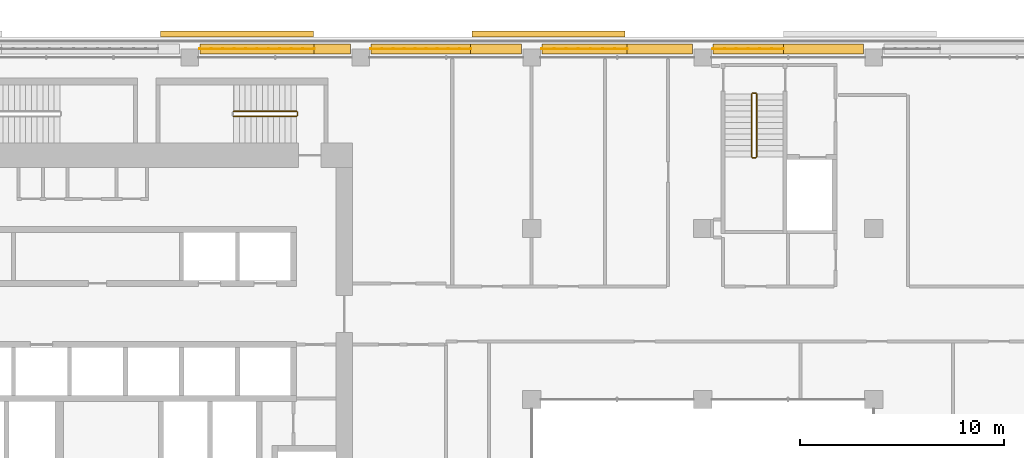
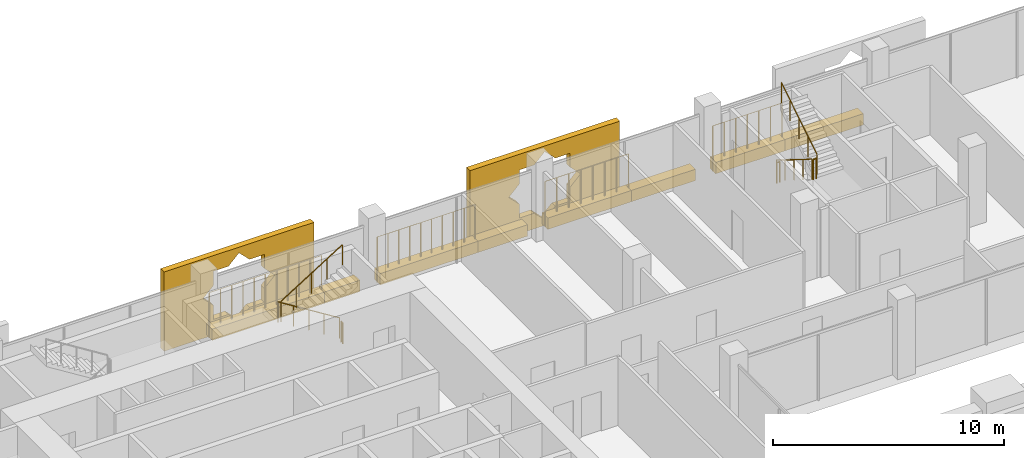
# One storey, part 22 of 23: 11 railings, 10 coverings.
"""IFC4 building model written with IfcOpenShell, lengths in metres."""

from ifc_helpers import new_model, si_unit, direction, frame, origin, origin_2d, place, context, subcontext, project, spatial, polyline, rectangle, circle, outline, extrude, material, material_profile, profile_set, type_object, element, save


model = new_model("IFC4")

# Units and contexts
model_context = context("Model", 3, precision=1e-05, world=origin(), true_north=direction((0.0, 1.0)))
body_context = subcontext(model_context, "Body", "Model", "MODEL_VIEW")
ifc_project = project(units=[si_unit("LENGTHUNIT", "METRE"), si_unit("AREAUNIT", "SQUARE_METRE"), si_unit("VOLUMEUNIT", "CUBIC_METRE"), si_unit("PLANEANGLEUNIT", "RADIAN"), si_unit("MASSUNIT", "GRAM", prefix="KILO")], contexts=[model_context])

# Site, building, storey
site_placement = place(None, origin())
site = spatial("IfcSite", under=ifc_project, at=site_placement, CompositionType="ELEMENT")
building_placement = place(site_placement, origin())
building = spatial("IfcBuilding", under=site, at=building_placement, Name="Kawkab Arch Medical Tower", CompositionType="ELEMENT")
storey_placement = place(building_placement, frame((0.0, 0.0, 226.39990234375)))
storey = spatial("IfcBuildingStorey", under=building, at=storey_placement, Name="L52", CompositionType="ELEMENT", Elevation=226.39990234375)

# Coverings
ifc_material_1 = material(Name="Bronze anodised aluminium mashrabiya panel, eight-point star pattern", Category="aluminium")
ifc_material_profile_1 = material_profile(ifc_material_1, outline(polyline([(-3.75, -2.10009765625), (3.75, -2.10009765625), (3.75, 2.10009765625), (-3.75, 2.10009765625), (-3.75, -2.10009765625)]), holes=[polyline([(1.800048828125, 0.0), (1.272705078125, 0.527099609375), (1.272705078125, 1.272705078125), (0.527099609375, 1.272705078125), (0.0, 1.800048828125), (-0.527099609375, 1.272705078125), (-1.272705078125, 1.272705078125), (-1.272705078125, 0.527099609375), (-1.800048828125, 0.0), (-1.272705078125, -0.527099609375), (-1.272705078125, -1.272705078125), (-0.527099609375, -1.272705078125), (0.0, -1.800048828125), (0.527099609375, -1.272705078125), (1.272705078125, -1.272705078125), (1.272705078125, -0.527099609375), (1.800048828125, 0.0)])]), Name="Mashrabiya panel 7500x4200")
ifc_profile_set_1 = profile_set([ifc_material_profile_1], Name="Bronze anodised aluminium mashrabiya panel, eight-point star pattern")
covering_type_1 = type_object("IfcCoveringType", Name="Mashrabiya panel 7500 x 4200", PredefinedType="USERDEFINED", material=ifc_profile_set_1)
for number, where, z_axis, x_axis, name in (
    (1, (19.124267578125, 1.0, 1.7001953125), (0.0, 1.0, 0.0), (-1.0, 0.0, 0.0), "Mashrabiya panel L52.LOG-01-02.6"),
    (2, (34.42529296875, 1.0, 1.7001953125), (0.0, 1.0, 0.0), (-1.0, 0.0, 0.0), "Mashrabiya panel L52.LOG-01-02.7"),
):
    element("IfcCovering", number, at=place(storey_placement, frame(where, z_axis=z_axis, x_axis=x_axis)), inside=storey, type_object=covering_type_1, Name=name, ObjectType="SCREEN", PredefinedType="USERDEFINED", context=body_context, shape_type="SweptSolid", body=[
        extrude(outline(polyline([(-3.75, -2.10009765625), (3.75, -2.10009765625), (3.75, 2.10009765625), (-3.75, 2.10009765625), (-3.75, -2.10009765625)]), holes=[polyline([(1.800048828125, 0.0), (1.272705078125, 0.527099609375), (1.272705078125, 1.272705078125), (0.527099609375, 1.272705078125), (0.0, 1.800048828125), (-0.527099609375, 1.272705078125), (-1.272705078125, 1.272705078125), (-1.272705078125, 0.527099609375), (-1.800048828125, 0.0), (-1.272705078125, -0.527099609375), (-1.272705078125, -1.272705078125), (-0.527099609375, -1.272705078125), (0.0, -1.800048828125), (0.527099609375, -1.272705078125), (1.272705078125, -1.272705078125), (1.272705078125, -0.527099609375), (1.800048828125, 0.0)])]), origin(), (0.0, 0.0, 1.0), 0.300048828125),
    ])
ifc_material_2 = material(Name="Planting soil in a precast trough", Category="concrete")
ifc_material_profile_2 = material_profile(ifc_material_2, rectangle(XDim=0.5, YDim=0.60009765625, at=origin_2d()), Name="Trough 500x600")
ifc_profile_set_2 = profile_set([ifc_material_profile_2], Name="Planting soil in a precast trough")
covering_type_2 = type_object("IfcCoveringType", Name="Planter trough 500 x 600", PredefinedType="USERDEFINED", material=ifc_profile_set_2)
covering_1_placement = place(storey_placement, frame((17.304931640625, 0.419921875, 0.300048828125), z_axis=(1.0, 0.0, 0.0), x_axis=(0.0, 1.0, 0.0)))
element("IfcCovering", 3, at=covering_1_placement, inside=storey, type_object=covering_type_2, Name="Planter L52.LOG-01-02.19", ObjectType="PLANTER", PredefinedType="USERDEFINED", context=body_context, shape_type="SweptSolid", body=[
    extrude(rectangle(XDim=0.5, YDim=0.60009765625, at=origin_2d()), origin(), (0.0, 0.0, 1.0), 5.614013671875),
])
covering_2_placement = place(storey_placement, frame((22.9189453125, 0.419921875, 0.300048828125), z_axis=(1.0, 0.0, 0.0), x_axis=(0.0, 1.0, 0.0)))
element("IfcCovering", 4, at=covering_2_placement, inside=storey, type_object=covering_type_2, Name="Planter L52.LOG-01-02.20", ObjectType="PLANTER", PredefinedType="USERDEFINED", context=body_context, shape_type="SweptSolid", body=[
    extrude(rectangle(XDim=0.5, YDim=0.60009765625, at=origin_2d()), origin(), (0.0, 0.0, 1.0), 1.776123046875),
])
covering_3_placement = place(storey_placement, frame((25.705078125, 0.419921875, 0.300048828125), z_axis=(1.0, 0.0, 0.0), x_axis=(0.0, 1.0, 0.0)))
element("IfcCovering", 5, at=covering_3_placement, inside=storey, type_object=covering_type_2, Name="Planter L52.LOG-01-02.21", ObjectType="PLANTER", PredefinedType="USERDEFINED", context=body_context, shape_type="SweptSolid", body=[
    extrude(rectangle(XDim=0.5, YDim=0.60009765625, at=origin_2d()), origin(), (0.0, 0.0, 1.0), 4.89501953125),
])
covering_4_placement = place(storey_placement, frame((30.60009765625, 0.419921875, 0.300048828125), z_axis=(1.0, 0.0, 0.0), x_axis=(0.0, 1.0, 0.0)))
element("IfcCovering", 6, at=covering_4_placement, inside=storey, type_object=covering_type_2, Name="Planter L52.LOG-01-02.22", ObjectType="PLANTER", PredefinedType="USERDEFINED", context=body_context, shape_type="SweptSolid", body=[
    extrude(rectangle(XDim=0.5, YDim=0.60009765625, at=origin_2d()), origin(), (0.0, 0.0, 1.0), 2.494873046875),
])
covering_5_placement = place(storey_placement, frame((34.10498046875, 0.419921875, 0.300048828125), z_axis=(1.0, 0.0, 0.0), x_axis=(0.0, 1.0, 0.0)))
element("IfcCovering", 7, at=covering_5_placement, inside=storey, type_object=covering_type_2, Name="Planter L52.LOG-01-02.23", ObjectType="PLANTER", PredefinedType="USERDEFINED", context=body_context, shape_type="SweptSolid", body=[
    extrude(rectangle(XDim=0.5, YDim=0.60009765625, at=origin_2d()), origin(), (0.0, 0.0, 1.0), 4.176025390625),
])
covering_6_placement = place(storey_placement, frame((38.281005859375, 0.419921875, 0.300048828125), z_axis=(1.0, 0.0, 0.0), x_axis=(0.0, 1.0, 0.0)))
element("IfcCovering", 8, at=covering_6_placement, inside=storey, type_object=covering_type_2, Name="Planter L52.LOG-01-02.24", ObjectType="PLANTER", PredefinedType="USERDEFINED", context=body_context, shape_type="SweptSolid", body=[
    extrude(rectangle(XDim=0.5, YDim=0.60009765625, at=origin_2d()), origin(), (0.0, 0.0, 1.0), 3.214111328125),
])
covering_7_placement = place(storey_placement, frame((42.5048828125, 0.419921875, 0.300048828125), z_axis=(1.0, 0.0, 0.0), x_axis=(0.0, 1.0, 0.0)))
element("IfcCovering", 9, at=covering_7_placement, inside=storey, type_object=covering_type_2, Name="Planter L52.LOG-01-02.25", ObjectType="PLANTER", PredefinedType="USERDEFINED", context=body_context, shape_type="SweptSolid", body=[
    extrude(rectangle(XDim=0.5, YDim=0.60009765625, at=origin_2d()), origin(), (0.0, 0.0, 1.0), 3.4580078125),
])
covering_8_placement = place(storey_placement, frame((45.962890625, 0.419921875, 0.300048828125), z_axis=(1.0, 0.0, 0.0), x_axis=(0.0, 1.0, 0.0)))
element("IfcCovering", 10, at=covering_8_placement, inside=storey, type_object=covering_type_2, Name="Planter L52.LOG-01-02.26", ObjectType="PLANTER", PredefinedType="USERDEFINED", context=body_context, shape_type="SweptSolid", body=[
    extrude(rectangle(XDim=0.5, YDim=0.60009765625, at=origin_2d()), origin(), (0.0, 0.0, 1.0), 3.93212890625),
])

# Railings
ifc_material_3 = material(Name="Bronze anodised aluminium trellis for climbing plants", Category="aluminium")
railing_type_1 = type_object("IfcRailingType", Name="Planting trellis 2400", PredefinedType="USERDEFINED", material=ifc_material_3)
railing_1_placement = place(storey_placement, frame((17.304931640625, 0.419921875, 0.0)))
element("IfcRailing", 11, at=railing_1_placement, inside=storey, type_object=railing_type_1, Name="Planting trellis L52.LOG-01-02.19", ObjectType="TRELLIS", PredefinedType="USERDEFINED", context=body_context, shape_type="SweptSolid", body=[
    extrude(circle(Radius=0.01513671875, at=origin_2d()), frame((0.0, 0.0, 2.384765625), z_axis=(1.0, 0.0, 0.0), x_axis=(0.0, 1.0, 0.0)), (0.0, 0.0, 1.0), 5.614013671875),
    extrude(circle(Radius=0.030029296875, at=origin_2d()), origin(), (0.0, 0.0, 1.0), 2.369873046875),
    extrude(circle(Radius=0.030029296875, at=origin_2d()), frame((0.5615234375, 0.0, 0.0)), (0.0, 0.0, 1.0), 2.369873046875),
    extrude(circle(Radius=0.030029296875, at=origin_2d()), frame((1.122802734375, 0.0, 0.0)), (0.0, 0.0, 1.0), 2.369873046875),
    extrude(circle(Radius=0.030029296875, at=origin_2d()), frame((1.68408203125, 0.0, 0.0)), (0.0, 0.0, 1.0), 2.369873046875),
    extrude(circle(Radius=0.030029296875, at=origin_2d()), frame((2.24560546875, 0.0, 0.0)), (0.0, 0.0, 1.0), 2.369873046875),
    extrude(circle(Radius=0.030029296875, at=origin_2d()), frame((2.80712890625, 0.0, 0.0)), (0.0, 0.0, 1.0), 2.369873046875),
    extrude(circle(Radius=0.030029296875, at=origin_2d()), frame((3.368408203125, 0.0, 0.0)), (0.0, 0.0, 1.0), 2.369873046875),
    extrude(circle(Radius=0.030029296875, at=origin_2d()), frame((3.9296875, 0.0, 0.0)), (0.0, 0.0, 1.0), 2.369873046875),
    extrude(circle(Radius=0.030029296875, at=origin_2d()), frame((4.4912109375, 0.0, 0.0)), (0.0, 0.0, 1.0), 2.369873046875),
    extrude(circle(Radius=0.030029296875, at=origin_2d()), frame((5.052734375, 0.0, 0.0)), (0.0, 0.0, 1.0), 2.369873046875),
    extrude(circle(Radius=0.030029296875, at=origin_2d()), frame((5.614013671875, 0.0, 0.0)), (0.0, 0.0, 1.0), 2.369873046875),
])
railing_2_placement = place(storey_placement, frame((25.705078125, 0.419921875, 0.0)))
element("IfcRailing", 12, at=railing_2_placement, inside=storey, type_object=railing_type_1, Name="Planting trellis L52.LOG-01-02.21", ObjectType="TRELLIS", PredefinedType="USERDEFINED", context=body_context, shape_type="SweptSolid", body=[
    extrude(circle(Radius=0.01513671875, at=origin_2d()), frame((0.0, 0.0, 2.384765625), z_axis=(1.0, 0.0, 0.0), x_axis=(0.0, 1.0, 0.0)), (0.0, 0.0, 1.0), 4.89501953125),
    extrude(circle(Radius=0.030029296875, at=origin_2d()), origin(), (0.0, 0.0, 1.0), 2.369873046875),
    extrude(circle(Radius=0.030029296875, at=origin_2d()), frame((0.5439453125, 0.0, 0.0)), (0.0, 0.0, 1.0), 2.369873046875),
    extrude(circle(Radius=0.030029296875, at=origin_2d()), frame((1.087890625, 0.0, 0.0)), (0.0, 0.0, 1.0), 2.369873046875),
    extrude(circle(Radius=0.030029296875, at=origin_2d()), frame((1.631591796875, 0.0, 0.0)), (0.0, 0.0, 1.0), 2.369873046875),
    extrude(circle(Radius=0.030029296875, at=origin_2d()), frame((2.175537109375, 0.0, 0.0)), (0.0, 0.0, 1.0), 2.369873046875),
    extrude(circle(Radius=0.030029296875, at=origin_2d()), frame((2.719482421875, 0.0, 0.0)), (0.0, 0.0, 1.0), 2.369873046875),
    extrude(circle(Radius=0.030029296875, at=origin_2d()), frame((3.263427734375, 0.0, 0.0)), (0.0, 0.0, 1.0), 2.369873046875),
    extrude(circle(Radius=0.030029296875, at=origin_2d()), frame((3.80712890625, 0.0, 0.0)), (0.0, 0.0, 1.0), 2.369873046875),
    extrude(circle(Radius=0.030029296875, at=origin_2d()), frame((4.35107421875, 0.0, 0.0)), (0.0, 0.0, 1.0), 2.369873046875),
    extrude(circle(Radius=0.030029296875, at=origin_2d()), frame((4.89501953125, 0.0, 0.0)), (0.0, 0.0, 1.0), 2.369873046875),
])
railing_3_placement = place(storey_placement, frame((34.10498046875, 0.419921875, 0.0)))
element("IfcRailing", 13, at=railing_3_placement, inside=storey, type_object=railing_type_1, Name="Planting trellis L52.LOG-01-02.23", ObjectType="TRELLIS", PredefinedType="USERDEFINED", context=body_context, shape_type="SweptSolid", body=[
    extrude(circle(Radius=0.01513671875, at=origin_2d()), frame((0.0, 0.0, 2.384765625), z_axis=(1.0, 0.0, 0.0), x_axis=(0.0, 1.0, 0.0)), (0.0, 0.0, 1.0), 4.176025390625),
    extrude(circle(Radius=0.030029296875, at=origin_2d()), origin(), (0.0, 0.0, 1.0), 2.369873046875),
    extrude(circle(Radius=0.030029296875, at=origin_2d()), frame((0.5966796875, 0.0, 0.0)), (0.0, 0.0, 1.0), 2.369873046875),
    extrude(circle(Radius=0.030029296875, at=origin_2d()), frame((1.193115234375, 0.0, 0.0)), (0.0, 0.0, 1.0), 2.369873046875),
    extrude(circle(Radius=0.030029296875, at=origin_2d()), frame((1.789794921875, 0.0, 0.0)), (0.0, 0.0, 1.0), 2.369873046875),
    extrude(circle(Radius=0.030029296875, at=origin_2d()), frame((2.38623046875, 0.0, 0.0)), (0.0, 0.0, 1.0), 2.369873046875),
    extrude(circle(Radius=0.030029296875, at=origin_2d()), frame((2.98291015625, 0.0, 0.0)), (0.0, 0.0, 1.0), 2.369873046875),
    extrude(circle(Radius=0.030029296875, at=origin_2d()), frame((3.579345703125, 0.0, 0.0)), (0.0, 0.0, 1.0), 2.369873046875),
    extrude(circle(Radius=0.030029296875, at=origin_2d()), frame((4.176025390625, 0.0, 0.0)), (0.0, 0.0, 1.0), 2.369873046875),
])
railing_4_placement = place(storey_placement, frame((42.5048828125, 0.419921875, 0.0)))
element("IfcRailing", 14, at=railing_4_placement, inside=storey, type_object=railing_type_1, Name="Planting trellis L52.LOG-01-02.25", ObjectType="TRELLIS", PredefinedType="USERDEFINED", context=body_context, shape_type="SweptSolid", body=[
    extrude(circle(Radius=0.01513671875, at=origin_2d()), frame((0.0, 0.0, 2.384765625), z_axis=(1.0, 0.0, 0.0), x_axis=(0.0, 1.0, 0.0)), (0.0, 0.0, 1.0), 3.4580078125),
    extrude(circle(Radius=0.030029296875, at=origin_2d()), origin(), (0.0, 0.0, 1.0), 2.369873046875),
    extrude(circle(Radius=0.030029296875, at=origin_2d()), frame((0.576416015625, 0.0, 0.0)), (0.0, 0.0, 1.0), 2.369873046875),
    extrude(circle(Radius=0.030029296875, at=origin_2d()), frame((1.152587890625, 0.0, 0.0)), (0.0, 0.0, 1.0), 2.369873046875),
    extrude(circle(Radius=0.030029296875, at=origin_2d()), frame((1.72900390625, 0.0, 0.0)), (0.0, 0.0, 1.0), 2.369873046875),
    extrude(circle(Radius=0.030029296875, at=origin_2d()), frame((2.305419921875, 0.0, 0.0)), (0.0, 0.0, 1.0), 2.369873046875),
    extrude(circle(Radius=0.030029296875, at=origin_2d()), frame((2.881591796875, 0.0, 0.0)), (0.0, 0.0, 1.0), 2.369873046875),
    extrude(circle(Radius=0.030029296875, at=origin_2d()), frame((3.4580078125, 0.0, 0.0)), (0.0, 0.0, 1.0), 2.369873046875),
])
ifc_material_4 = material(Name="Stainless steel", Category="steel")
railing_type_2 = type_object("IfcRailingType", Name="Stair guard 1100", PredefinedType="GUARDRAIL", material=ifc_material_4)
railing_5_placement = place(storey_placement, frame((22.050048828125, -2.64990234375, 0.175048828125)))
element("IfcRailing", 15, at=railing_5_placement, inside=storey, type_object=railing_type_2, Name="L52 ST4 stair guard 1", PredefinedType="GUARDRAIL", context=body_context, shape_type="SweptSolid", body=[
    extrude(circle(Radius=0.02392578125, at=origin_2d()), frame((0.0, 0.0, 1.076171875), z_axis=(-0.847998304005, 0.0, 0.529998940003), x_axis=(0.0, -1.0, 0.0)), (0.0, 0.0, 1.0), 3.632080078125),
    extrude(circle(Radius=0.02099609375, at=origin_2d()), origin(), (0.0, 0.0, 1.0), 1.052001953125),
    extrude(circle(Radius=0.02099609375, at=origin_2d()), frame((-0.77001953125, 0.0, 0.481201171875)), (0.0, 0.0, 1.0), 1.052001953125),
    extrude(circle(Radius=0.02099609375, at=origin_2d()), frame((-1.5400390625, 0.0, 0.96240234375)), (0.0, 0.0, 1.0), 1.052001953125),
    extrude(circle(Radius=0.02099609375, at=origin_2d()), frame((-2.31005859375, 0.0, 1.44384765625)), (0.0, 0.0, 1.0), 1.052001953125),
    extrude(circle(Radius=0.02099609375, at=origin_2d()), frame((-3.080078125, 0.0, 1.925048828125)), (0.0, 0.0, 1.0), 1.052001953125),
])
railing_6_placement = place(storey_placement, frame((18.969970703125, -2.89990234375, 2.275146484375)))
element("IfcRailing", 16, at=railing_6_placement, inside=storey, type_object=railing_type_2, Name="L52 ST4 stair guard 3", PredefinedType="GUARDRAIL", context=body_context, shape_type="SweptSolid", body=[
    extrude(circle(Radius=0.02392578125, at=origin_2d()), frame((0.0, 0.0, 1.076171875), z_axis=(0.847998304005, 0.0, 0.529998940003), x_axis=(0.0, 1.0, 0.0)), (0.0, 0.0, 1.0), 3.632080078125),
    extrude(circle(Radius=0.02099609375, at=origin_2d()), origin(), (0.0, 0.0, 1.0), 1.052001953125),
    extrude(circle(Radius=0.02099609375, at=origin_2d()), frame((0.77001953125, 0.0, 0.481201171875)), (0.0, 0.0, 1.0), 1.052001953125),
    extrude(circle(Radius=0.02099609375, at=origin_2d()), frame((1.5400390625, 0.0, 0.96240234375)), (0.0, 0.0, 1.0), 1.052001953125),
    extrude(circle(Radius=0.02099609375, at=origin_2d()), frame((2.31005859375, 0.0, 1.44384765625)), (0.0, 0.0, 1.0), 1.052001953125),
    extrude(circle(Radius=0.02099609375, at=origin_2d()), frame((3.080078125, 0.0, 1.925048828125)), (0.0, 0.0, 1.0), 1.052001953125),
])
railing_7_placement = place(storey_placement, frame((22.10009765625, -2.699951171875, 0.0)))
element("IfcRailing", 17, at=railing_7_placement, inside=storey, type_object=railing_type_2, Name="L52 ST4 stair guard 4", PredefinedType="GUARDRAIL", context=body_context, shape_type="SweptSolid", body=[
    extrude(circle(Radius=0.02392578125, at=origin_2d()), frame((0.0, 0.0, 1.076171875), z_axis=(0.0, -1.0, 0.0), x_axis=(1.0, 0.0, 0.0)), (0.0, 0.0, 1.0), 0.150146484375),
    extrude(circle(Radius=0.02099609375, at=origin_2d()), origin(), (0.0, 0.0, 1.0), 1.052001953125),
    extrude(circle(Radius=0.02099609375, at=origin_2d()), frame((0.0, -0.150146484375, 0.0)), (0.0, 0.0, 1.0), 1.052001953125),
])
railing_8_placement = place(storey_placement, frame((44.39990234375, -1.800048828125, 0.175048828125)))
element("IfcRailing", 18, at=railing_8_placement, inside=storey, type_object=railing_type_2, Name="L52 ST5 stair guard 1", PredefinedType="GUARDRAIL", context=body_context, shape_type="SweptSolid", body=[
    extrude(circle(Radius=0.02392578125, at=origin_2d()), frame((0.0, 0.0, 1.076171875), z_axis=(0.0, -0.847979421464, 0.530029150871), x_axis=(1.0, 0.0, 0.0)), (0.0, 0.0, 1.0), 3.632080078125),
    extrude(circle(Radius=0.02099609375, at=origin_2d()), origin(), (0.0, 0.0, 1.0), 1.052001953125),
    extrude(circle(Radius=0.02099609375, at=origin_2d()), frame((0.0, -0.77001953125, 0.481201171875)), (0.0, 0.0, 1.0), 1.052001953125),
    extrude(circle(Radius=0.02099609375, at=origin_2d()), frame((0.0, -1.5400390625, 0.96240234375)), (0.0, 0.0, 1.0), 1.052001953125),
    extrude(circle(Radius=0.02099609375, at=origin_2d()), frame((0.0, -2.309814453125, 1.44384765625)), (0.0, 0.0, 1.0), 1.052001953125),
    extrude(circle(Radius=0.02099609375, at=origin_2d()), frame((0.0, -3.079833984375, 1.925048828125)), (0.0, 0.0, 1.0), 1.052001953125),
])
railing_9_placement = place(storey_placement, frame((44.449951171875, -4.929931640625, 2.10009765625)))
element("IfcRailing", 19, at=railing_9_placement, inside=storey, type_object=railing_type_2, Name="L52 ST5 stair guard 2", PredefinedType="GUARDRAIL", context=body_context, shape_type="SweptSolid", body=[
    extrude(circle(Radius=0.02392578125, at=origin_2d()), frame((0.0, 0.0, 1.076171875), z_axis=(1.0, 0.0, 0.0), x_axis=(0.0, 1.0, 0.0)), (0.0, 0.0, 1.0), 0.150146484375),
    extrude(circle(Radius=0.02099609375, at=origin_2d()), origin(), (0.0, 0.0, 1.0), 1.052001953125),
    extrude(circle(Radius=0.02099609375, at=origin_2d()), frame((0.150146484375, 0.0, 0.0)), (0.0, 0.0, 1.0), 1.052001953125),
])
railing_10_placement = place(storey_placement, frame((44.64990234375, -4.8798828125, 2.275146484375)))
element("IfcRailing", 20, at=railing_10_placement, inside=storey, type_object=railing_type_2, Name="L52 ST5 stair guard 3", PredefinedType="GUARDRAIL", context=body_context, shape_type="SweptSolid", body=[
    extrude(circle(Radius=0.02392578125, at=origin_2d()), frame((0.0, 0.0, 1.076171875), z_axis=(0.0, 0.847979421464, 0.530029150871), x_axis=(-1.0, 0.0, 0.0)), (0.0, 0.0, 1.0), 3.632080078125),
    extrude(circle(Radius=0.02099609375, at=origin_2d()), origin(), (0.0, 0.0, 1.0), 1.052001953125),
    extrude(circle(Radius=0.02099609375, at=origin_2d()), frame((0.0, 0.77001953125, 0.481201171875)), (0.0, 0.0, 1.0), 1.052001953125),
    extrude(circle(Radius=0.02099609375, at=origin_2d()), frame((0.0, 1.5400390625, 0.96240234375)), (0.0, 0.0, 1.0), 1.052001953125),
    extrude(circle(Radius=0.02099609375, at=origin_2d()), frame((0.0, 2.309814453125, 1.44384765625)), (0.0, 0.0, 1.0), 1.052001953125),
    extrude(circle(Radius=0.02099609375, at=origin_2d()), frame((0.0, 3.079833984375, 1.925048828125)), (0.0, 0.0, 1.0), 1.052001953125),
])
railing_11_placement = place(storey_placement, frame((44.449951171875, -1.75, 0.0)))
element("IfcRailing", 21, at=railing_11_placement, inside=storey, type_object=railing_type_2, Name="L52 ST5 stair guard 4", PredefinedType="GUARDRAIL", context=body_context, shape_type="SweptSolid", body=[
    extrude(circle(Radius=0.02392578125, at=origin_2d()), frame((0.0, 0.0, 1.076171875), z_axis=(1.0, 0.0, 0.0), x_axis=(0.0, 1.0, 0.0)), (0.0, 0.0, 1.0), 0.150146484375),
    extrude(circle(Radius=0.02099609375, at=origin_2d()), origin(), (0.0, 0.0, 1.0), 1.052001953125),
    extrude(circle(Radius=0.02099609375, at=origin_2d()), frame((0.150146484375, 0.0, 0.0)), (0.0, 0.0, 1.0), 1.052001953125),
])

save(model, "model.ifc")
